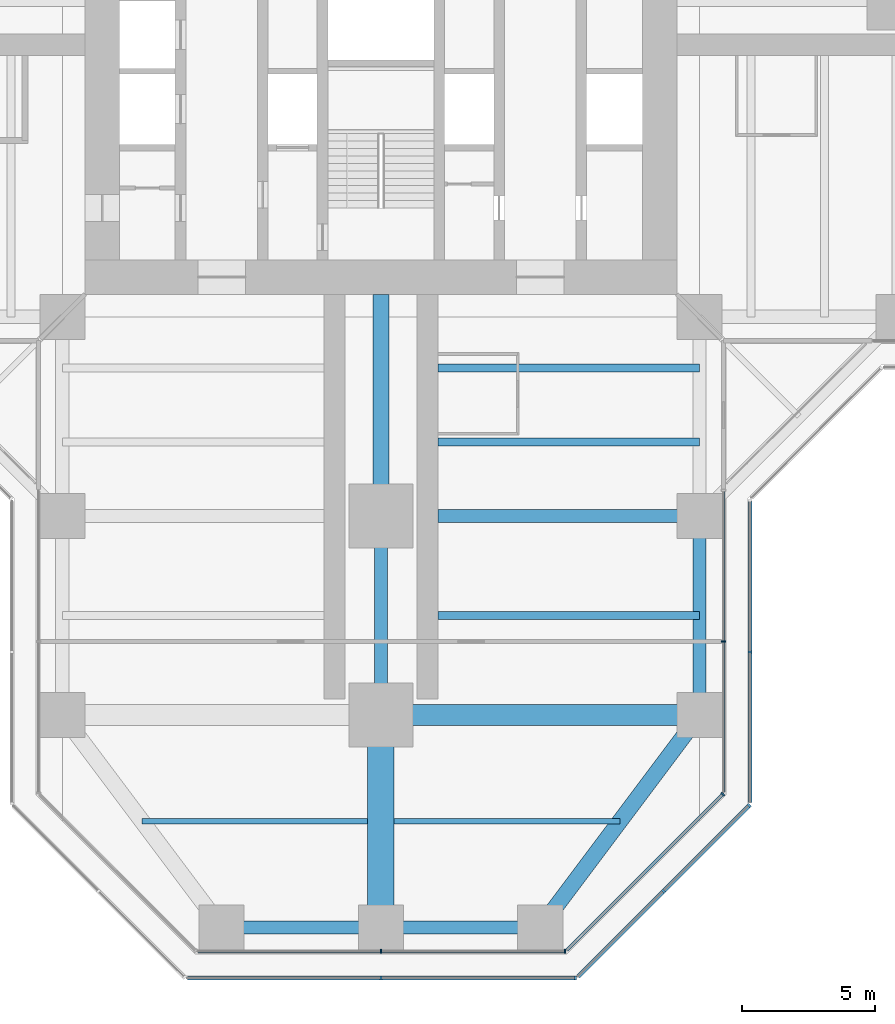
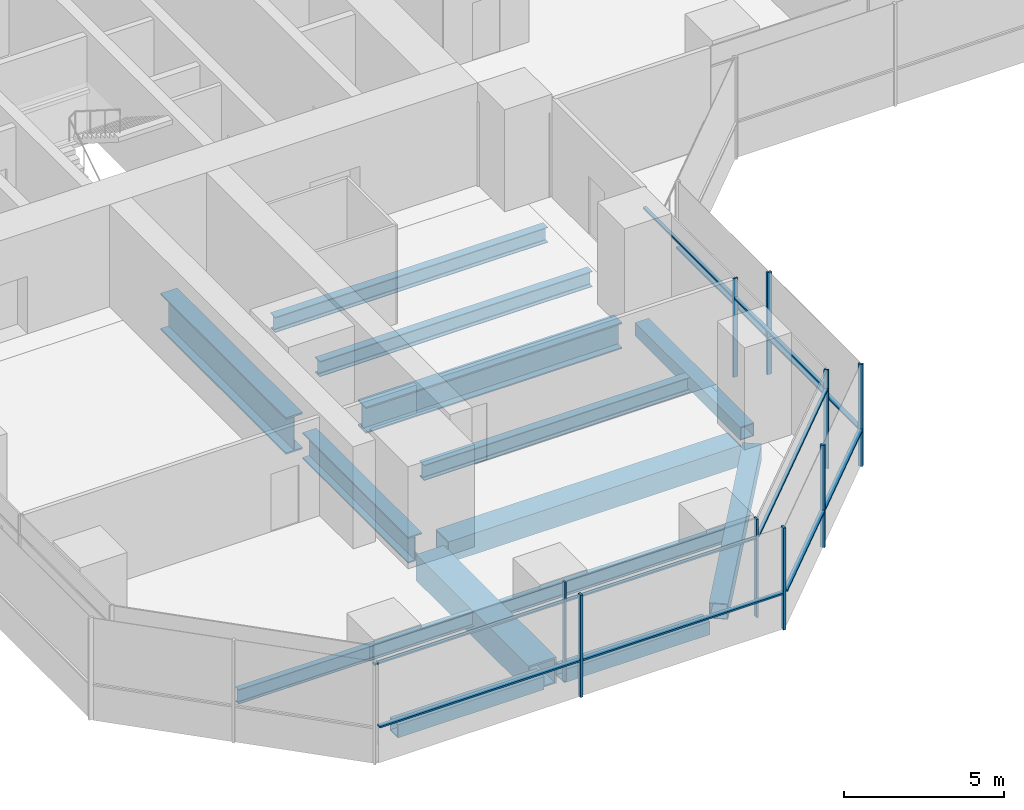
# One storey, part 5 of 22: 20 members, 14 beams, 6 elements without a shape of their own.
"""IFC4 building model written with IfcOpenShell, lengths in metres."""

from ifc_helpers import new_model, si_unit, direction, frame, origin, origin_2d, place, context, subcontext, project, spatial, rectangle, hollow_rectangle, i_section, extrude, material, material_profile, profile_set, type_object, element, aggregate, save


model = new_model("IFC4")

# Units and contexts
model_context = context("Model", 3, precision=1e-05, world=origin(), true_north=direction((0.0, 1.0)))
body_context = subcontext(model_context, "Body", "Model", "MODEL_VIEW")
ifc_project = project(units=[si_unit("LENGTHUNIT", "METRE"), si_unit("AREAUNIT", "SQUARE_METRE"), si_unit("VOLUMEUNIT", "CUBIC_METRE"), si_unit("PLANEANGLEUNIT", "RADIAN"), si_unit("MASSUNIT", "GRAM", prefix="KILO")], contexts=[model_context])

# Site, building, storey
site_placement = place(None, origin())
site = spatial("IfcSite", under=ifc_project, at=site_placement, CompositionType="ELEMENT")
building_placement = place(site_placement, origin())
building = spatial("IfcBuilding", under=site, at=building_placement, Name="Mizan Broadcast Tower", CompositionType="ELEMENT")
storey_placement = place(building_placement, frame((0.0, 0.0, 102.0)))
storey = spatial("IfcBuildingStorey", under=building, at=storey_placement, Name="L22", CompositionType="ELEMENT", Elevation=102.0)

# Beams
ifc_material_1 = material(Name="Steel S355", Category="steel")
ifc_material_profile_1 = material_profile(ifc_material_1, hollow_rectangle(XDim=0.5, YDim=0.5, WallThickness=0.030029296875, at=origin_2d()), Name="BOX 500x500x30")
ifc_profile_set_1 = profile_set([ifc_material_profile_1], Name="Steel S355")
beam_type_1 = type_object("IfcBeamType", Name="EDGE BEAM BOX 500x500x30", PredefinedType="SPANDREL", material=ifc_profile_set_1)
beam_1_placement = place(storey_placement, frame((-5.639892578125, -35.0, -0.3798828125), z_axis=(1.0, 0.0, 0.0), x_axis=(0.0, 1.0, 0.0)))
element("IfcBeam", 1, at=beam_1_placement, inside=storey, type_object=beam_type_1, Name="Edge beam BOX 500x500x30 L22 south arm", PredefinedType="SPANDREL", context=body_context, shape_type="SweptSolid", body=[
    extrude(hollow_rectangle(XDim=0.5, YDim=0.5, WallThickness=0.030029296875, at=origin_2d()), origin(), (0.0, 0.0, 1.0), 5.27978515625),
])
beam_2_placement = place(storey_placement, frame((12.0, -19.949951171875, -0.3798828125), z_axis=(0.0, -1.0, 0.0), x_axis=(1.0, 0.0, 0.0)))
element("IfcBeam", 2, at=beam_2_placement, inside=storey, type_object=beam_type_1, Name="Edge beam BOX 500x500x30 L22 south arm", PredefinedType="SPANDREL", context=body_context, shape_type="SweptSolid", body=[
    extrude(hollow_rectangle(XDim=0.5, YDim=0.5, WallThickness=0.030029296875, at=origin_2d()), origin(), (0.0, 0.0, 1.0), 6.60009765625),
])
beam_3_placement = place(storey_placement, frame((5.639892578125, -35.0, -0.3798828125), z_axis=(-1.0, 0.0, 0.0), x_axis=(0.0, -1.0, 0.0)))
element("IfcBeam", 3, at=beam_3_placement, inside=storey, type_object=beam_type_1, Name="Edge beam BOX 500x500x30 L22 south arm", PredefinedType="SPANDREL", context=body_context, shape_type="SweptSolid", body=[
    extrude(hollow_rectangle(XDim=0.5, YDim=0.5, WallThickness=0.030029296875, at=origin_2d()), origin(), (0.0, 0.0, 1.0), 5.27978515625),
])
ifc_material_2 = material(Name="Steel S355", Category="steel")
ifc_material_profile_2 = material_profile(ifc_material_2, hollow_rectangle(XDim=0.60009765625, YDim=0.60009765625, WallThickness=0.030029296875, at=origin_2d()), Name="BOX 600x600x30")
ifc_profile_set_2 = profile_set([ifc_material_profile_2], Name="Steel S355")
beam_type_2 = type_object("IfcBeamType", Name="EDGE BEAM BOX 600x600x30", PredefinedType="SPANDREL", material=ifc_profile_set_2)
beam_4_placement = place(storey_placement, frame((11.639892578125, -27.47998046875, -0.429931640625), z_axis=(-0.599982243973, -0.800013316712, 0.0), x_axis=(0.800013316712, -0.599982243973, 0.0)))
element("IfcBeam", 4, at=beam_4_placement, inside=storey, type_object=beam_type_2, Name="Edge beam BOX 600x600x30 L22 south arm", PredefinedType="SPANDREL", context=body_context, shape_type="SweptSolid", body=[
    extrude(hollow_rectangle(XDim=0.60009765625, YDim=0.60009765625, WallThickness=0.030029296875, at=origin_2d()), origin(), (0.0, 0.0, 1.0), 8.7998046875),
])
ifc_material_3 = material(Name="Steel S460", Category="steel")
ifc_material_profile_3 = material_profile(ifc_material_3, hollow_rectangle(XDim=1.0, YDim=1.0, WallThickness=0.06005859375, at=origin_2d()), Name="BOX 1000x1000x60")
ifc_profile_set_3 = profile_set([ifc_material_profile_3], Name="Steel S460")
beam_type_3 = type_object("IfcBeamType", Name="GIRDER BOX 1000x1000x60", PredefinedType="BEAM", material=ifc_profile_set_3)
beam_5_placement = place(storey_placement, frame((0.0, -27.47998046875, -0.6298828125), z_axis=(0.0, -1.0, 0.0), x_axis=(1.0, 0.0, 0.0)))
element("IfcBeam", 5, at=beam_5_placement, inside=storey, type_object=beam_type_3, Name="Girder BOX 1000x1000x60 L22 south arm", PredefinedType="BEAM", context=body_context, shape_type="SweptSolid", body=[
    extrude(hollow_rectangle(XDim=1.0, YDim=1.0, WallThickness=0.06005859375, at=origin_2d()), origin(), (0.0, 0.0, 1.0), 7.0400390625),
])
ifc_material_4 = material(Name="Steel S460", Category="steel")
ifc_material_profile_4 = material_profile(ifc_material_4, hollow_rectangle(XDim=0.800048828125, YDim=0.800048828125, WallThickness=0.050048828125, at=origin_2d()), Name="BOX 800x800x50")
ifc_profile_set_4 = profile_set([ifc_material_profile_4], Name="Steel S460")
beam_type_4 = type_object("IfcBeamType", Name="GIRDER BOX 800x800x50", PredefinedType="BEAM", material=ifc_profile_set_4)
beam_6_placement = place(storey_placement, frame((11.280029296875, -27.0, -0.530029296875), z_axis=(-1.0, 0.0, 0.0), x_axis=(0.0, -1.0, 0.0)))
element("IfcBeam", 6, at=beam_6_placement, inside=storey, type_object=beam_type_4, Name="Girder BOX 800x800x50 L22 south arm", PredefinedType="BEAM", context=body_context, shape_type="SweptSolid", body=[
    extrude(hollow_rectangle(XDim=0.800048828125, YDim=0.800048828125, WallThickness=0.050048828125, at=origin_2d()), origin(), (0.0, 0.0, 1.0), 10.56005859375),
])
ifc_material_5 = material(Name="Steel S460", Category="steel")
ifc_material_profile_5 = material_profile(ifc_material_5, i_section(OverallWidth=0.5, OverallDepth=1.0, WebThickness=0.02490234375, FlangeThickness=0.050048828125, at=origin_2d()), Name="WPG 1000x500")
ifc_profile_set_5 = profile_set([ifc_material_profile_5], Name="Steel S460")
beam_type_5 = type_object("IfcBeamType", Name="GIRDER WPG 1000x500", PredefinedType="BEAM", material=ifc_profile_set_5)
beam_7_placement = place(storey_placement, frame((0.0, -19.949951171875, -0.6298828125), z_axis=(0.0, -1.0, 0.0), x_axis=(1.0, 0.0, 0.0)))
element("IfcBeam", 7, at=beam_7_placement, inside=storey, type_object=beam_type_5, Name="Girder WPG 1000x500 L22 south arm", PredefinedType="BEAM", context=body_context, shape_type="SweptSolid", body=[
    extrude(i_section(OverallWidth=0.5, OverallDepth=1.0, WebThickness=0.02490234375, FlangeThickness=0.050048828125, at=origin_2d()), origin(), (0.0, 0.0, 1.0), 6.60009765625),
])
beam_8_placement = place(storey_placement, frame((11.408935546875, -19.5, -0.6298828125), z_axis=(-1.0, 0.0, 0.0), x_axis=(0.0, -1.0, 0.0)))
element("IfcBeam", 8, at=beam_8_placement, inside=storey, type_object=beam_type_5, Name="Girder WPG 1000x500 L22 south arm", PredefinedType="BEAM", context=body_context, shape_type="SweptSolid", body=[
    extrude(i_section(OverallWidth=0.5, OverallDepth=1.0, WebThickness=0.02490234375, FlangeThickness=0.050048828125, at=origin_2d()), origin(), (0.0, 0.0, 1.0), 9.259033203125),
])
ifc_material_6 = material(Name="Steel S460", Category="steel")
ifc_material_profile_6 = material_profile(ifc_material_6, i_section(OverallWidth=0.60009765625, OverallDepth=1.39990234375, WebThickness=0.02490234375, FlangeThickness=0.06005859375, at=origin_2d()), Name="WPG 1400x600")
ifc_profile_set_6 = profile_set([ifc_material_profile_6], Name="Steel S460")
beam_type_6 = type_object("IfcBeamType", Name="GIRDER WPG 1400x600", PredefinedType="BEAM", material=ifc_profile_set_6)
beam_9_placement = place(storey_placement, frame((0.0, -11.14990234375, -0.830078125), z_axis=(0.0, -1.0, 0.0), x_axis=(1.0, 0.0, 0.0)))
element("IfcBeam", 9, at=beam_9_placement, inside=storey, type_object=beam_type_6, Name="Girder WPG 1400x600 L22 south arm", PredefinedType="BEAM", context=body_context, shape_type="SweptSolid", body=[
    extrude(i_section(OverallWidth=0.60009765625, OverallDepth=1.39990234375, WebThickness=0.02490234375, FlangeThickness=0.06005859375, at=origin_2d()), origin(), (0.0, 0.0, 1.0), 7.84912109375),
])

# Curtain wall, members
ifc_material_7 = material(Name="Aluminium framed glazing", Category="aluminium")
curtain_wall_type_1 = type_object("IfcCurtainWallType", Name="INNER SKIN LOW ZONE", PredefinedType="USERDEFINED", material=ifc_material_7)
curtain_wall_1_placement = place(storey_placement, origin())
curtain_wall_1 = element("IfcCurtainWall", 10, at=curtain_wall_1_placement, inside=storey, type_object=curtain_wall_type_1, Name="Inner skin low zone L22 S end", ObjectType="INNER SKIN LOW ZONE", PredefinedType="USERDEFINED")
ifc_material_8 = material(Name="Aluminium, pale anodised", Category="aluminium")
ifc_material_profile_7 = material_profile(ifc_material_8, rectangle(XDim=0.159912109375, YDim=0.06005859375, at=origin_2d()), Name="MULLION 160x60")
ifc_profile_set_7 = profile_set([ifc_material_profile_7], Name="Aluminium, pale anodised")
member_type_1 = type_object("IfcMemberType", Name="INNER SKIN MULLION 60x160", PredefinedType="MULLION", material=ifc_profile_set_7)
member_1_placement = place(storey_placement, frame((0.0, -35.89990234375, 0.0), z_axis=(0.0, 0.0, 1.0), x_axis=(0.0, 1.0, 0.0)))
member_1 = element("IfcMember", 11, at=member_1_placement, type_object=member_type_1, Name="Inner skin low zone L22 S end mullion 2", PredefinedType="MULLION", context=body_context, shape_type="SweptSolid", body=[
    extrude(rectangle(XDim=0.159912109375, YDim=0.06005859375, at=origin_2d()), origin(), (0.0, 0.0, 1.0), 3.77001953125),
])
member_2_placement = place(storey_placement, frame((6.928466796875, -35.89990234375, 0.0), z_axis=(0.0, 0.0, 1.0), x_axis=(0.0, 1.0, 0.0)))
member_2 = element("IfcMember", 12, at=member_2_placement, type_object=member_type_1, Name="Inner skin low zone L22 S end mullion 3", PredefinedType="MULLION", context=body_context, shape_type="SweptSolid", body=[
    extrude(rectangle(XDim=0.159912109375, YDim=0.06005859375, at=origin_2d()), origin(), (0.0, 0.0, 1.0), 3.77001953125),
])

# Curtain wall, member
curtain_wall_2_placement = place(storey_placement, origin())
curtain_wall_2 = element("IfcCurtainWall", 13, at=curtain_wall_2_placement, inside=storey, type_object=curtain_wall_type_1, Name="Inner skin low zone L22 S chamfer", ObjectType="INNER SKIN LOW ZONE", PredefinedType="USERDEFINED")
member_3_placement = place(storey_placement, frame((12.87890625, -29.979736328125, 0.0), z_axis=(0.0, 0.0, 1.0), x_axis=(-0.707106781187, 0.707106781187, 0.0)))
member_3 = element("IfcMember", 14, at=member_3_placement, type_object=member_type_1, Name="Inner skin low zone L22 S chamfer mullion 2", PredefinedType="MULLION", context=body_context, shape_type="SweptSolid", body=[
    extrude(rectangle(XDim=0.159912109375, YDim=0.06005859375, at=origin_2d()), origin(), (0.0, 0.0, 1.0), 3.77001953125),
])

curtain_wall_3_placement = place(storey_placement, origin())
curtain_wall_3 = element("IfcCurtainWall", 15, at=curtain_wall_3_placement, inside=storey, type_object=curtain_wall_type_1, Name="Inner skin low zone L22 S side", ObjectType="INNER SKIN LOW ZONE", PredefinedType="USERDEFINED")
member_4_placement = place(storey_placement, frame((12.89990234375, -24.229248046875, 0.0), z_axis=(0.0, 0.0, 1.0), x_axis=(-1.0, 0.0, 0.0)))
member_4 = element("IfcMember", 16, at=member_4_placement, type_object=member_type_1, Name="Inner skin low zone L22 S side mullion 2", PredefinedType="MULLION", context=body_context, shape_type="SweptSolid", body=[
    extrude(rectangle(XDim=0.159912109375, YDim=0.06005859375, at=origin_2d()), origin(), (0.0, 0.0, 1.0), 3.77001953125),
])

# Member
ifc_material_9 = material(Name="Aluminium, pale anodised", Category="aluminium")
ifc_material_profile_8 = material_profile(ifc_material_9, rectangle(XDim=0.1201171875, YDim=0.06005859375, at=origin_2d()), Name="TRANSOM 120x60")
ifc_profile_set_8 = profile_set([ifc_material_profile_8], Name="Aluminium, pale anodised")
member_type_2 = type_object("IfcMemberType", Name="INNER SKIN TRANSOM 60x120", PredefinedType="USERDEFINED", material=ifc_profile_set_8)
member_5_placement = place(storey_placement, frame((-6.898681640625, -35.89990234375, 3.030029296875), z_axis=(1.0, 0.0, 0.0), x_axis=(0.0, 1.0, 0.0)))
member_5 = element("IfcMember", 17, at=member_5_placement, type_object=member_type_2, Name="Inner skin low zone L22 S end transom 1.1", ObjectType="TRANSOM", PredefinedType="USERDEFINED", context=body_context, shape_type="SweptSolid", body=[
    extrude(rectangle(XDim=0.1201171875, YDim=0.06005859375, at=origin_2d()), origin(), (0.0, 0.0, 1.0), 6.86865234375),
])

member_6_placement = place(storey_placement, frame((0.030029296875, -35.89990234375, 3.030029296875), z_axis=(1.0, 0.0, 0.0), x_axis=(0.0, 1.0, 0.0)))
member_6 = element("IfcMember", 18, at=member_6_placement, type_object=member_type_2, Name="Inner skin low zone L22 S end transom 2.1", ObjectType="TRANSOM", PredefinedType="USERDEFINED", context=body_context, shape_type="SweptSolid", body=[
    extrude(rectangle(XDim=0.1201171875, YDim=0.06005859375, at=origin_2d()), origin(), (0.0, 0.0, 1.0), 6.86865234375),
])

aggregate(curtain_wall_1, [member_1, member_2, member_5, member_6])

member_7_placement = place(storey_placement, frame((7.0009765625, -35.857666015625, 3.030029296875), z_axis=(0.707106781187, 0.707106781187, 0.0), x_axis=(-0.707106781187, 0.707106781187, 0.0)))
member_7 = element("IfcMember", 19, at=member_7_placement, type_object=member_type_2, Name="Inner skin low zone L22 S chamfer transom 1.1", ObjectType="TRANSOM", PredefinedType="USERDEFINED", context=body_context, shape_type="SweptSolid", body=[
    extrude(rectangle(XDim=0.1201171875, YDim=0.06005859375, at=origin_2d()), origin(), (0.0, 0.0, 1.0), 8.28271484375),
])

aggregate(curtain_wall_2, [member_3, member_7])

member_8_placement = place(storey_placement, frame((12.89990234375, -29.898681640625, 3.030029296875), z_axis=(0.0, 1.0, 0.0), x_axis=(-1.0, 0.0, 0.0)))
member_8 = element("IfcMember", 20, at=member_8_placement, type_object=member_type_2, Name="Inner skin low zone L22 S side transom 1.1", ObjectType="TRANSOM", PredefinedType="USERDEFINED", context=body_context, shape_type="SweptSolid", body=[
    extrude(rectangle(XDim=0.1201171875, YDim=0.06005859375, at=origin_2d()), origin(), (0.0, 0.0, 1.0), 5.639404296875),
])

member_9_placement = place(storey_placement, frame((12.89990234375, -24.19921875, 3.030029296875), z_axis=(0.0, 1.0, 0.0), x_axis=(-1.0, 0.0, 0.0)))
member_9 = element("IfcMember", 21, at=member_9_placement, type_object=member_type_2, Name="Inner skin low zone L22 S side transom 2.1", ObjectType="TRANSOM", PredefinedType="USERDEFINED", context=body_context, shape_type="SweptSolid", body=[
    extrude(rectangle(XDim=0.1201171875, YDim=0.06005859375, at=origin_2d()), origin(), (0.0, 0.0, 1.0), 5.63916015625),
])

aggregate(curtain_wall_3, [member_4, member_8, member_9])

# Curtain wall, members
ifc_material_10 = material(Name="Aluminium framed glazing", Category="aluminium")
curtain_wall_type_2 = type_object("IfcCurtainWallType", Name="OUTER SKIN", PredefinedType="USERDEFINED", material=ifc_material_10)
curtain_wall_4_placement = place(storey_placement, origin())
curtain_wall_4 = element("IfcCurtainWall", 22, at=curtain_wall_4_placement, inside=storey, type_object=curtain_wall_type_2, Name="Outer skin L22 S end", ObjectType="OUTER SKIN", PredefinedType="USERDEFINED")
ifc_material_11 = material(Name="Aluminium, pale anodised", Category="aluminium")
ifc_material_profile_9 = material_profile(ifc_material_11, rectangle(XDim=0.159912109375, YDim=0.080078125, at=origin_2d()), Name="MULLION 160x80")
ifc_profile_set_9 = profile_set([ifc_material_profile_9], Name="Aluminium, pale anodised")
member_type_3 = type_object("IfcMemberType", Name="OUTER SKIN MULLION 80x160", PredefinedType="MULLION", material=ifc_profile_set_9)
member_10_placement = place(storey_placement, frame((0.0, -36.89990234375, 0.0), z_axis=(0.0, 0.0, 1.0), x_axis=(0.0, 1.0, 0.0)))
member_10 = element("IfcMember", 23, at=member_10_placement, type_object=member_type_3, Name="Outer skin L22 S end mullion 2", PredefinedType="MULLION", context=body_context, shape_type="SweptSolid", body=[
    extrude(rectangle(XDim=0.159912109375, YDim=0.080078125, at=origin_2d()), origin(), (0.0, 0.0, 1.0), 3.89990234375),
])
member_11_placement = place(storey_placement, frame((7.332763671875, -36.89990234375, 0.0), z_axis=(0.0, 0.0, 1.0), x_axis=(0.0, 1.0, 0.0)))
member_11 = element("IfcMember", 24, at=member_11_placement, type_object=member_type_3, Name="Outer skin L22 S end mullion 3", PredefinedType="MULLION", context=body_context, shape_type="SweptSolid", body=[
    extrude(rectangle(XDim=0.159912109375, YDim=0.080078125, at=origin_2d()), origin(), (0.0, 0.0, 1.0), 3.89990234375),
])

curtain_wall_5_placement = place(storey_placement, origin())
curtain_wall_5 = element("IfcCurtainWall", 25, at=curtain_wall_5_placement, inside=storey, type_object=curtain_wall_type_2, Name="Outer skin L22 S chamfer", ObjectType="OUTER SKIN", PredefinedType="USERDEFINED")
member_12_placement = place(storey_placement, frame((10.636474609375, -33.636474609375, 0.0), z_axis=(0.0, 0.0, 1.0), x_axis=(-0.707106781187, 0.707106781187, 0.0)))
member_12 = element("IfcMember", 26, at=member_12_placement, type_object=member_type_3, Name="Outer skin L22 S chamfer mullion 2", PredefinedType="MULLION", context=body_context, shape_type="SweptSolid", body=[
    extrude(rectangle(XDim=0.159912109375, YDim=0.080078125, at=origin_2d()), origin(), (0.0, 0.0, 1.0), 3.89990234375),
])
member_13_placement = place(storey_placement, frame((13.871826171875, -30.401123046875, 0.0), z_axis=(0.0, 0.0, 1.0), x_axis=(-0.707106781187, 0.707106781187, 0.0)))
member_13 = element("IfcMember", 27, at=member_13_placement, type_object=member_type_3, Name="Outer skin L22 S chamfer mullion 3", PredefinedType="MULLION", context=body_context, shape_type="SweptSolid", body=[
    extrude(rectangle(XDim=0.159912109375, YDim=0.080078125, at=origin_2d()), origin(), (0.0, 0.0, 1.0), 3.89990234375),
])

# Curtain wall, member
curtain_wall_6_placement = place(storey_placement, origin())
curtain_wall_6 = element("IfcCurtainWall", 28, at=curtain_wall_6_placement, inside=storey, type_object=curtain_wall_type_2, Name="Outer skin L22 S side", ObjectType="OUTER SKIN", PredefinedType="USERDEFINED")
member_14_placement = place(storey_placement, frame((13.89990234375, -24.622802734375, 0.0), z_axis=(0.0, 0.0, 1.0), x_axis=(-1.0, 0.0, 0.0)))
member_14 = element("IfcMember", 29, at=member_14_placement, type_object=member_type_3, Name="Outer skin L22 S side mullion 2", PredefinedType="MULLION", context=body_context, shape_type="SweptSolid", body=[
    extrude(rectangle(XDim=0.159912109375, YDim=0.080078125, at=origin_2d()), origin(), (0.0, 0.0, 1.0), 3.89990234375),
])

# Member
ifc_material_12 = material(Name="Aluminium, pale anodised", Category="aluminium")
ifc_material_profile_10 = material_profile(ifc_material_12, rectangle(XDim=0.159912109375, YDim=0.06005859375, at=origin_2d()), Name="TRANSOM 160x60")
ifc_profile_set_10 = profile_set([ifc_material_profile_10], Name="Aluminium, pale anodised")
member_type_4 = type_object("IfcMemberType", Name="OUTER SKIN TRANSOM 60x160", PredefinedType="USERDEFINED", material=ifc_profile_set_10)
member_15_placement = place(storey_placement, frame((-7.292724609375, -36.89990234375, 1.39990234375), z_axis=(1.0, 0.0, 0.0), x_axis=(0.0, 1.0, 0.0)))
member_15 = element("IfcMember", 30, at=member_15_placement, type_object=member_type_4, Name="Outer skin L22 S end transom 1.1", ObjectType="TRANSOM", PredefinedType="USERDEFINED", context=body_context, shape_type="SweptSolid", body=[
    extrude(rectangle(XDim=0.159912109375, YDim=0.06005859375, at=origin_2d()), origin(), (0.0, 0.0, 1.0), 7.252685546875),
])

member_16_placement = place(storey_placement, frame((0.0400390625, -36.89990234375, 1.39990234375), z_axis=(1.0, 0.0, 0.0), x_axis=(0.0, 1.0, 0.0)))
member_16 = element("IfcMember", 31, at=member_16_placement, type_object=member_type_4, Name="Outer skin L22 S end transom 2.1", ObjectType="TRANSOM", PredefinedType="USERDEFINED", context=body_context, shape_type="SweptSolid", body=[
    extrude(rectangle(XDim=0.159912109375, YDim=0.06005859375, at=origin_2d()), origin(), (0.0, 0.0, 1.0), 7.252685546875),
])

aggregate(curtain_wall_4, [member_10, member_11, member_15, member_16])

member_17_placement = place(storey_placement, frame((7.429443359375, -36.843505859375, 1.39990234375), z_axis=(0.707106781187, 0.707106781187, 0.0), x_axis=(-0.707106781187, 0.707106781187, 0.0)))
member_17 = element("IfcMember", 32, at=member_17_placement, type_object=member_type_4, Name="Outer skin L22 S chamfer transom 1.1", ObjectType="TRANSOM", PredefinedType="USERDEFINED", context=body_context, shape_type="SweptSolid", body=[
    extrude(rectangle(XDim=0.159912109375, YDim=0.06005859375, at=origin_2d()), origin(), (0.0, 0.0, 1.0), 4.495361328125),
])

member_18_placement = place(storey_placement, frame((10.664794921875, -33.608154296875, 1.39990234375), z_axis=(0.707106781187, 0.707106781187, 0.0), x_axis=(-0.707106781187, 0.707106781187, 0.0)))
member_18 = element("IfcMember", 33, at=member_18_placement, type_object=member_type_4, Name="Outer skin L22 S chamfer transom 2.1", ObjectType="TRANSOM", PredefinedType="USERDEFINED", context=body_context, shape_type="SweptSolid", body=[
    extrude(rectangle(XDim=0.159912109375, YDim=0.06005859375, at=origin_2d()), origin(), (0.0, 0.0, 1.0), 4.495361328125),
])

aggregate(curtain_wall_5, [member_12, member_13, member_17, member_18])

member_19_placement = place(storey_placement, frame((13.89990234375, -30.292724609375, 1.39990234375), z_axis=(0.0, 1.0, 0.0), x_axis=(-1.0, 0.0, 0.0)))
member_19 = element("IfcMember", 34, at=member_19_placement, type_object=member_type_4, Name="Outer skin L22 S side transom 1.1", ObjectType="TRANSOM", PredefinedType="USERDEFINED", context=body_context, shape_type="SweptSolid", body=[
    extrude(rectangle(XDim=0.159912109375, YDim=0.06005859375, at=origin_2d()), origin(), (0.0, 0.0, 1.0), 5.6298828125),
])

member_20_placement = place(storey_placement, frame((13.89990234375, -24.582763671875, 1.39990234375), z_axis=(0.0, 1.0, 0.0), x_axis=(-1.0, 0.0, 0.0)))
member_20 = element("IfcMember", 35, at=member_20_placement, type_object=member_type_4, Name="Outer skin L22 S side transom 2.1", ObjectType="TRANSOM", PredefinedType="USERDEFINED", context=body_context, shape_type="SweptSolid", body=[
    extrude(rectangle(XDim=0.159912109375, YDim=0.06005859375, at=origin_2d()), origin(), (0.0, 0.0, 1.0), 5.6298828125),
])

aggregate(curtain_wall_6, [member_14, member_19, member_20])

# Beams
ifc_material_13 = material(Name="Steel S355", Category="steel")
ifc_material_profile_11 = material_profile(ifc_material_13, i_section(OverallWidth=0.300048828125, OverallDepth=0.590087890625, WebThickness=0.012939453125, FlangeThickness=0.02490234375, FilletRadius=0.027099609375, at=origin_2d()), Name="HEA 600")
ifc_profile_set_11 = profile_set([ifc_material_profile_11], Name="Steel S355")
beam_type_7 = type_object("IfcBeamType", Name="SECONDARY BEAM HEA 600", PredefinedType="JOIST", material=ifc_profile_set_11)
for number, where, z_axis, x_axis, name in (
    (36, (12.0, -13.933349609375, -0.425048828125), (-1.0, 0.0, 0.0), (0.0, -1.0, 0.0), "Secondary beam HEA 600 L22 south arm"),
    (37, (12.0, -16.716552734375, -0.425048828125), (-1.0, 0.0, 0.0), (0.0, -1.0, 0.0), "Secondary beam HEA 600 L22 south arm"),
    (38, (12.0, -23.25, -0.425048828125), (-1.0, 0.0, 0.0), (0.0, -1.0, 0.0), "Secondary beam HEA 600 L22 south arm"),
):
    element("IfcBeam", number, at=place(storey_placement, frame(where, z_axis=z_axis, x_axis=x_axis)), inside=storey, type_object=beam_type_7, Name=name, PredefinedType="JOIST", context=body_context, shape_type="SweptSolid", body=[
        extrude(i_section(OverallWidth=0.300048828125, OverallDepth=0.590087890625, WebThickness=0.012939453125, FlangeThickness=0.02490234375, FilletRadius=0.027099609375, at=origin_2d()), origin(), (0.0, 0.0, 1.0), 9.85009765625),
    ])
ifc_material_14 = material(Name="Steel S355", Category="steel")
ifc_material_profile_12 = material_profile(ifc_material_14, i_section(OverallWidth=0.2099609375, OverallDepth=0.550048828125, WebThickness=0.010986328125, FlangeThickness=0.01708984375, FilletRadius=0.02392578125, at=origin_2d()), Name="IPE 550")
ifc_profile_set_12 = profile_set([ifc_material_profile_12], Name="Steel S355")
beam_type_8 = type_object("IfcBeamType", Name="SECONDARY BEAM IPE 550", PredefinedType="JOIST", material=ifc_profile_set_12)
for number, where, z_axis, x_axis, name in (
    (39, (-9.0, -31.0, -0.405029296875), (1.0, 0.0, 0.0), (0.0, 1.0, 0.0), "Secondary beam IPE 550 L22 south arm"),
    (40, (9.0, -31.0, -0.405029296875), (-1.0, 0.0, 0.0), (0.0, -1.0, 0.0), "Secondary beam IPE 550 L22 south arm"),
):
    element("IfcBeam", number, at=place(storey_placement, frame(where, z_axis=z_axis, x_axis=x_axis)), inside=storey, type_object=beam_type_8, Name=name, PredefinedType="JOIST", context=body_context, shape_type="SweptSolid", body=[
        extrude(i_section(OverallWidth=0.2099609375, OverallDepth=0.550048828125, WebThickness=0.010986328125, FlangeThickness=0.01708984375, FilletRadius=0.02392578125, at=origin_2d()), origin(), (0.0, 0.0, 1.0), 8.5),
    ])

save(model, "model.ifc")
